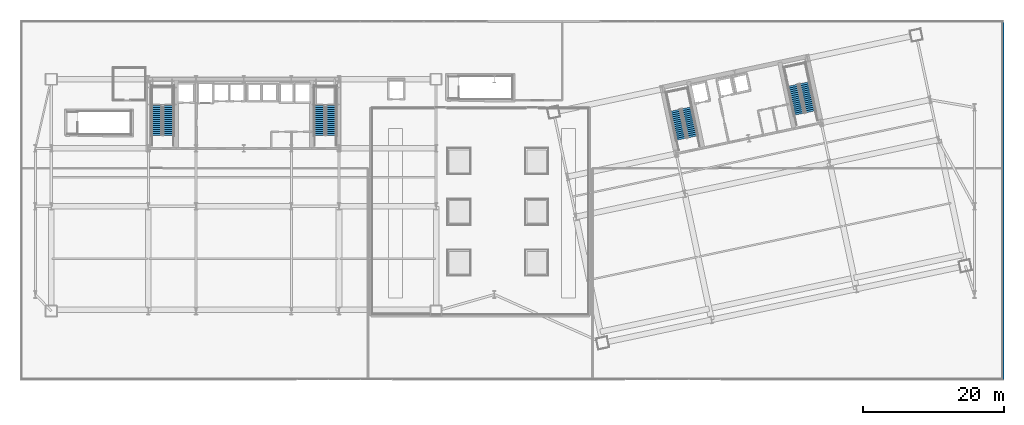
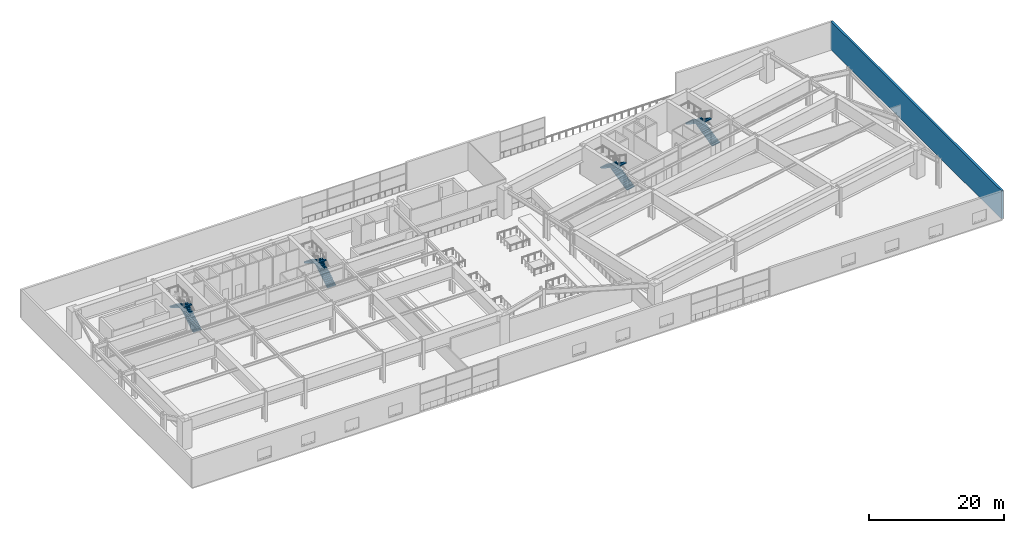
# One storey, part 20 of 29: 8 stair flights, 1 wall, 4 elements without a shape of their own.
"""IFC4 building model written with IfcOpenShell, lengths in metres."""

from ifc_helpers import new_model, si_unit, direction, frame, frame_2d, origin, place, context, subcontext, project, spatial, polyline, rectangle, outline, extrude, material, layer, layer_set, type_object, element, aggregate, save


model = new_model("IFC4")

# Units and contexts
model_context = context("Model", 3, precision=1e-05, world=origin(), true_north=direction((0.0, 1.0)))
body_context = subcontext(model_context, "Body", "Model", "MODEL_VIEW")
ifc_project = project(units=[si_unit("LENGTHUNIT", "METRE"), si_unit("AREAUNIT", "SQUARE_METRE"), si_unit("VOLUMEUNIT", "CUBIC_METRE"), si_unit("PLANEANGLEUNIT", "RADIAN"), si_unit("MASSUNIT", "GRAM", prefix="KILO")], contexts=[model_context])

# Site, building, storey
site_placement = place(None, origin())
site = spatial("IfcSite", under=ifc_project, at=site_placement, CompositionType="ELEMENT")
building_placement = place(site_placement, origin())
building = spatial("IfcBuilding", under=site, at=building_placement, Name="Haevon Station Towers", CompositionType="ELEMENT")
storey_placement = place(building_placement, frame((0.0, 0.0, 25.199951171875)))
storey = spatial("IfcBuildingStorey", under=building, at=storey_placement, Name="L05", CompositionType="ELEMENT", Elevation=25.199951171875)

# Wall
ifc_material_1 = material(Name="Precast concrete C45/55", Category="concrete")
ifc_layer = layer(ifc_material_1, 0.360107421875)
ifc_layer_set = layer_set([ifc_layer], Name="Precast concrete C45/55")
wall_type = type_object("IfcWallType", Name="WL-EXT-POD360", PredefinedType="SOLIDWALL", material=ifc_layer_set)
wall_placement = place(storey_placement, frame((145.0, 56.199951171875, 0.0), z_axis=(0.0, 0.0, 1.0), x_axis=(0.0, -1.0, 0.0)))
element("IfcWall", 1, at=wall_placement, inside=storey, type_object=wall_type, Name="WL-POD-L05-E", PredefinedType="SOLIDWALL", context=body_context, shape_type="SweptSolid", body=[
    extrude(rectangle(XDim=50.699951171875, YDim=0.360107421875, at=frame_2d((25.35009765625, 0.0))), origin(), (0.0, 0.0, 1.0), 5.130126953125),
])

# Stair, stair flights
ifc_material_2 = material(Name="Concrete C40/50", Category="concrete")
stair_type = type_object("IfcStairType", Name="STR-DL1450", PredefinedType="USERDEFINED", material=ifc_material_2)
stair_1_placement = place(storey_placement, origin())
stair_1 = element("IfcStair", 2, at=stair_1_placement, inside=storey, type_object=stair_type, Name="L05 Escape Stair ST1", ObjectType="TWO_RETURN_STAIR", PredefinedType="USERDEFINED")
stair_flight_type = type_object("IfcStairFlightType", Name="STF-ST1450", PredefinedType="STRAIGHT", material=ifc_material_2)
stair_flight_1_placement = place(storey_placement, frame((26.85498046875, 40.050048828125, 0.0), z_axis=(0.0, 0.0, 1.0), x_axis=(0.0, 1.0, 0.0)))
stair_flight_1 = element("IfcStairFlight", 3, at=stair_flight_1_placement, type_object=stair_flight_type, Name="L05 ST1 Flight 1", NumberOfRisers=16, NumberOfTreads=15, PredefinedType="STRAIGHT", RiserHeight=0.16875, TreadLength=0.28, context=body_context, shape_type="SweptSolid", body=[
    extrude(outline(polyline([(0.0, 0.0), (0.0, 0.168701171875), (0.280029296875, 0.168701171875), (0.280029296875, 0.33740234375), (0.56005859375, 0.33740234375), (0.56005859375, 0.50634765625), (0.840087890625, 0.50634765625), (0.840087890625, 0.675048828125), (1.1201171875, 0.675048828125), (1.1201171875, 0.84375), (1.39990234375, 0.84375), (1.39990234375, 1.012451171875), (1.679931640625, 1.012451171875), (1.679931640625, 1.18115234375), (1.9599609375, 1.18115234375), (1.9599609375, 1.35009765625), (2.239990234375, 1.35009765625), (2.239990234375, 1.518798828125), (2.52001953125, 1.518798828125), (2.52001953125, 1.6875), (2.800048828125, 1.6875), (2.800048828125, 1.856201171875), (3.080078125, 1.856201171875), (3.080078125, 2.02490234375), (3.360107421875, 2.02490234375), (3.360107421875, 2.19384765625), (3.639892578125, 2.19384765625), (3.639892578125, 2.362548828125), (3.919921875, 2.362548828125), (3.919921875, 2.53125), (4.199951171875, 2.53125), (4.199951171875, 2.699951171875), (4.199951171875, 2.344482421875), (0.309814453125, 0.0), (0.0, 0.0)])), frame((0.0, 0.72509765625, 0.0), z_axis=(0.0, -1.0, 0.0), x_axis=(1.0, 0.0, 0.0)), (0.0, 0.0, 1.0), 1.449951171875),
])
stair_flight_2_placement = place(storey_placement, frame((25.205078125, 44.25, 2.699951171875), z_axis=(0.0, 0.0, 1.0), x_axis=(0.0, -1.0, 0.0)))
stair_flight_2 = element("IfcStairFlight", 4, at=stair_flight_2_placement, type_object=stair_flight_type, Name="L05 ST1 Flight 2", NumberOfRisers=16, NumberOfTreads=15, PredefinedType="STRAIGHT", RiserHeight=0.16875, TreadLength=0.28, context=body_context, shape_type="SweptSolid", body=[
    extrude(outline(polyline([(0.0, 0.0), (0.0, 0.168701171875), (0.280029296875, 0.168701171875), (0.280029296875, 0.33740234375), (0.56005859375, 0.33740234375), (0.56005859375, 0.50634765625), (0.840087890625, 0.50634765625), (0.840087890625, 0.675048828125), (1.1201171875, 0.675048828125), (1.1201171875, 0.84375), (1.39990234375, 0.84375), (1.39990234375, 1.012451171875), (1.679931640625, 1.012451171875), (1.679931640625, 1.18115234375), (1.9599609375, 1.18115234375), (1.9599609375, 1.35009765625), (2.239990234375, 1.35009765625), (2.239990234375, 1.518798828125), (2.52001953125, 1.518798828125), (2.52001953125, 1.6875), (2.800048828125, 1.6875), (2.800048828125, 1.856201171875), (3.080078125, 1.856201171875), (3.080078125, 2.02490234375), (3.360107421875, 2.02490234375), (3.360107421875, 2.19384765625), (3.639892578125, 2.19384765625), (3.639892578125, 2.362548828125), (3.919921875, 2.362548828125), (3.919921875, 2.53125), (4.199951171875, 2.53125), (4.199951171875, 2.699951171875), (4.199951171875, 2.344482421875), (0.309814453125, 0.0), (0.0, 0.0)])), frame((0.0, 0.72509765625, 0.0), z_axis=(0.0, -1.0, 0.0), x_axis=(1.0, 0.0, 0.0)), (0.0, 0.0, 1.0), 1.449951171875),
])
aggregate(stair_1, [stair_flight_1, stair_flight_2])

stair_2_placement = place(storey_placement, origin())
stair_2 = element("IfcStair", 5, at=stair_2_placement, inside=storey, type_object=stair_type, Name="L05 Escape Stair ST2", ObjectType="TWO_RETURN_STAIR", PredefinedType="USERDEFINED")
stair_flight_3_placement = place(storey_placement, frame((49.89501953125, 40.050048828125, 0.0), z_axis=(0.0, 0.0, 1.0), x_axis=(0.0, 1.0, 0.0)))
stair_flight_3 = element("IfcStairFlight", 6, at=stair_flight_3_placement, type_object=stair_flight_type, Name="L05 ST2 Flight 1", NumberOfRisers=16, NumberOfTreads=15, PredefinedType="STRAIGHT", RiserHeight=0.16875, TreadLength=0.28, context=body_context, shape_type="SweptSolid", body=[
    extrude(outline(polyline([(0.0, 0.0), (0.0, 0.168701171875), (0.280029296875, 0.168701171875), (0.280029296875, 0.33740234375), (0.56005859375, 0.33740234375), (0.56005859375, 0.50634765625), (0.840087890625, 0.50634765625), (0.840087890625, 0.675048828125), (1.1201171875, 0.675048828125), (1.1201171875, 0.84375), (1.39990234375, 0.84375), (1.39990234375, 1.012451171875), (1.679931640625, 1.012451171875), (1.679931640625, 1.18115234375), (1.9599609375, 1.18115234375), (1.9599609375, 1.35009765625), (2.239990234375, 1.35009765625), (2.239990234375, 1.518798828125), (2.52001953125, 1.518798828125), (2.52001953125, 1.6875), (2.800048828125, 1.6875), (2.800048828125, 1.856201171875), (3.080078125, 1.856201171875), (3.080078125, 2.02490234375), (3.360107421875, 2.02490234375), (3.360107421875, 2.19384765625), (3.639892578125, 2.19384765625), (3.639892578125, 2.362548828125), (3.919921875, 2.362548828125), (3.919921875, 2.53125), (4.199951171875, 2.53125), (4.199951171875, 2.699951171875), (4.199951171875, 2.344482421875), (0.309814453125, 0.0), (0.0, 0.0)])), frame((0.0, 0.72509765625, 0.0), z_axis=(0.0, -1.0, 0.0), x_axis=(1.0, 0.0, 0.0)), (0.0, 0.0, 1.0), 1.449951171875),
])
stair_flight_4_placement = place(storey_placement, frame((48.2451171875, 44.25, 2.699951171875), z_axis=(0.0, 0.0, 1.0), x_axis=(0.0, -1.0, 0.0)))
stair_flight_4 = element("IfcStairFlight", 7, at=stair_flight_4_placement, type_object=stair_flight_type, Name="L05 ST2 Flight 2", NumberOfRisers=16, NumberOfTreads=15, PredefinedType="STRAIGHT", RiserHeight=0.16875, TreadLength=0.28, context=body_context, shape_type="SweptSolid", body=[
    extrude(outline(polyline([(0.0, 0.0), (0.0, 0.168701171875), (0.280029296875, 0.168701171875), (0.280029296875, 0.33740234375), (0.56005859375, 0.33740234375), (0.56005859375, 0.50634765625), (0.840087890625, 0.50634765625), (0.840087890625, 0.675048828125), (1.1201171875, 0.675048828125), (1.1201171875, 0.84375), (1.39990234375, 0.84375), (1.39990234375, 1.012451171875), (1.679931640625, 1.012451171875), (1.679931640625, 1.18115234375), (1.9599609375, 1.18115234375), (1.9599609375, 1.35009765625), (2.239990234375, 1.35009765625), (2.239990234375, 1.518798828125), (2.52001953125, 1.518798828125), (2.52001953125, 1.6875), (2.800048828125, 1.6875), (2.800048828125, 1.856201171875), (3.080078125, 1.856201171875), (3.080078125, 2.02490234375), (3.360107421875, 2.02490234375), (3.360107421875, 2.19384765625), (3.639892578125, 2.19384765625), (3.639892578125, 2.362548828125), (3.919921875, 2.362548828125), (3.919921875, 2.53125), (4.199951171875, 2.53125), (4.199951171875, 2.699951171875), (4.199951171875, 2.344482421875), (0.309814453125, 0.0), (0.0, 0.0)])), frame((0.0, 0.72509765625, 0.0), z_axis=(0.0, -1.0, 0.0), x_axis=(1.0, 0.0, 0.0)), (0.0, 0.0, 1.0), 1.449951171875),
])
aggregate(stair_2, [stair_flight_3, stair_flight_4])

stair_3_placement = place(storey_placement, origin())
stair_3 = element("IfcStair", 8, at=stair_3_placement, inside=storey, type_object=stair_type, Name="L05 Escape Stair ST3", ObjectType="TWO_RETURN_STAIR", PredefinedType="USERDEFINED")
stair_flight_5_placement = place(storey_placement, frame((101.1015625, 39.8330078125, 0.0), z_axis=(0.0, 0.0, 1.0), x_axis=(-0.207911690818, 0.978147600734, 0.0)))
stair_flight_5 = element("IfcStairFlight", 9, at=stair_flight_5_placement, type_object=stair_flight_type, Name="L05 ST3 Flight 1", NumberOfRisers=16, NumberOfTreads=15, PredefinedType="STRAIGHT", RiserHeight=0.16875, TreadLength=0.28, context=body_context, shape_type="SweptSolid", body=[
    extrude(outline(polyline([(0.0, 0.0), (0.0, 0.168701171875), (0.280029296875, 0.168701171875), (0.280029296875, 0.33740234375), (0.56005859375, 0.33740234375), (0.56005859375, 0.50634765625), (0.840087890625, 0.50634765625), (0.840087890625, 0.675048828125), (1.1201171875, 0.675048828125), (1.1201171875, 0.84375), (1.39990234375, 0.84375), (1.39990234375, 1.012451171875), (1.679931640625, 1.012451171875), (1.679931640625, 1.18115234375), (1.9599609375, 1.18115234375), (1.9599609375, 1.35009765625), (2.239990234375, 1.35009765625), (2.239990234375, 1.518798828125), (2.52001953125, 1.518798828125), (2.52001953125, 1.6875), (2.800048828125, 1.6875), (2.800048828125, 1.856201171875), (3.080078125, 1.856201171875), (3.080078125, 2.02490234375), (3.360107421875, 2.02490234375), (3.360107421875, 2.19384765625), (3.639892578125, 2.19384765625), (3.639892578125, 2.362548828125), (3.919921875, 2.362548828125), (3.919921875, 2.53125), (4.199951171875, 2.53125), (4.199951171875, 2.699951171875), (4.199951171875, 2.344482421875), (0.309814453125, 0.0), (0.0, 0.0)])), frame((0.0, 0.72509765625, 0.0), z_axis=(0.0, -1.0, 0.0), x_axis=(1.0, 0.0, 0.0)), (0.0, 0.0, 1.0), 1.449951171875),
])
stair_flight_6_placement = place(storey_placement, frame((98.614501953125, 43.59814453125, 2.699951171875), z_axis=(0.0, 0.0, 1.0), x_axis=(0.207911690818, -0.978147600734, 0.0)))
stair_flight_6 = element("IfcStairFlight", 10, at=stair_flight_6_placement, type_object=stair_flight_type, Name="L05 ST3 Flight 2", NumberOfRisers=16, NumberOfTreads=15, PredefinedType="STRAIGHT", RiserHeight=0.16875, TreadLength=0.28, context=body_context, shape_type="SweptSolid", body=[
    extrude(outline(polyline([(0.0, 0.0), (0.0, 0.168701171875), (0.280029296875, 0.168701171875), (0.280029296875, 0.33740234375), (0.56005859375, 0.33740234375), (0.56005859375, 0.50634765625), (0.840087890625, 0.50634765625), (0.840087890625, 0.675048828125), (1.1201171875, 0.675048828125), (1.1201171875, 0.84375), (1.39990234375, 0.84375), (1.39990234375, 1.012451171875), (1.679931640625, 1.012451171875), (1.679931640625, 1.18115234375), (1.9599609375, 1.18115234375), (1.9599609375, 1.35009765625), (2.239990234375, 1.35009765625), (2.239990234375, 1.518798828125), (2.52001953125, 1.518798828125), (2.52001953125, 1.6875), (2.800048828125, 1.6875), (2.800048828125, 1.856201171875), (3.080078125, 1.856201171875), (3.080078125, 2.02490234375), (3.360107421875, 2.02490234375), (3.360107421875, 2.19384765625), (3.639892578125, 2.19384765625), (3.639892578125, 2.362548828125), (3.919921875, 2.362548828125), (3.919921875, 2.53125), (4.199951171875, 2.53125), (4.199951171875, 2.699951171875), (4.199951171875, 2.344482421875), (0.309814453125, 0.0), (0.0, 0.0)])), frame((0.0, 0.72509765625, 0.0), z_axis=(0.0, -1.0, 0.0), x_axis=(1.0, 0.0, 0.0)), (0.0, 0.0, 1.0), 1.449951171875),
])
aggregate(stair_3, [stair_flight_5, stair_flight_6])

stair_4_placement = place(storey_placement, origin())
stair_4 = element("IfcStair", 11, at=stair_4_placement, inside=storey, type_object=stair_type, Name="L05 Escape Stair ST4", ObjectType="TWO_RETURN_STAIR", PredefinedType="USERDEFINED")
stair_flight_7_placement = place(storey_placement, frame((117.788818359375, 43.380126953125, 0.0), z_axis=(0.0, 0.0, 1.0), x_axis=(-0.207911690818, 0.978147600734, 0.0)))
stair_flight_7 = element("IfcStairFlight", 12, at=stair_flight_7_placement, type_object=stair_flight_type, Name="L05 ST4 Flight 1", NumberOfRisers=16, NumberOfTreads=15, PredefinedType="STRAIGHT", RiserHeight=0.16875, TreadLength=0.28, context=body_context, shape_type="SweptSolid", body=[
    extrude(outline(polyline([(0.0, 0.0), (0.0, 0.168701171875), (0.280029296875, 0.168701171875), (0.280029296875, 0.33740234375), (0.56005859375, 0.33740234375), (0.56005859375, 0.50634765625), (0.840087890625, 0.50634765625), (0.840087890625, 0.675048828125), (1.1201171875, 0.675048828125), (1.1201171875, 0.84375), (1.39990234375, 0.84375), (1.39990234375, 1.012451171875), (1.679931640625, 1.012451171875), (1.679931640625, 1.18115234375), (1.9599609375, 1.18115234375), (1.9599609375, 1.35009765625), (2.239990234375, 1.35009765625), (2.239990234375, 1.518798828125), (2.52001953125, 1.518798828125), (2.52001953125, 1.6875), (2.800048828125, 1.6875), (2.800048828125, 1.856201171875), (3.080078125, 1.856201171875), (3.080078125, 2.02490234375), (3.360107421875, 2.02490234375), (3.360107421875, 2.19384765625), (3.639892578125, 2.19384765625), (3.639892578125, 2.362548828125), (3.919921875, 2.362548828125), (3.919921875, 2.53125), (4.199951171875, 2.53125), (4.199951171875, 2.699951171875), (4.199951171875, 2.344482421875), (0.309814453125, 0.0), (0.0, 0.0)])), frame((0.0, 0.72509765625, 0.0), z_axis=(0.0, -1.0, 0.0), x_axis=(1.0, 0.0, 0.0)), (0.0, 0.0, 1.0), 1.449951171875),
])
stair_flight_8_placement = place(storey_placement, frame((115.3017578125, 47.145263671875, 2.699951171875), z_axis=(0.0, 0.0, 1.0), x_axis=(0.207911690818, -0.978147600734, 0.0)))
stair_flight_8 = element("IfcStairFlight", 13, at=stair_flight_8_placement, type_object=stair_flight_type, Name="L05 ST4 Flight 2", NumberOfRisers=16, NumberOfTreads=15, PredefinedType="STRAIGHT", RiserHeight=0.16875, TreadLength=0.28, context=body_context, shape_type="SweptSolid", body=[
    extrude(outline(polyline([(0.0, 0.0), (0.0, 0.168701171875), (0.280029296875, 0.168701171875), (0.280029296875, 0.33740234375), (0.56005859375, 0.33740234375), (0.56005859375, 0.50634765625), (0.840087890625, 0.50634765625), (0.840087890625, 0.675048828125), (1.1201171875, 0.675048828125), (1.1201171875, 0.84375), (1.39990234375, 0.84375), (1.39990234375, 1.012451171875), (1.679931640625, 1.012451171875), (1.679931640625, 1.18115234375), (1.9599609375, 1.18115234375), (1.9599609375, 1.35009765625), (2.239990234375, 1.35009765625), (2.239990234375, 1.518798828125), (2.52001953125, 1.518798828125), (2.52001953125, 1.6875), (2.800048828125, 1.6875), (2.800048828125, 1.856201171875), (3.080078125, 1.856201171875), (3.080078125, 2.02490234375), (3.360107421875, 2.02490234375), (3.360107421875, 2.19384765625), (3.639892578125, 2.19384765625), (3.639892578125, 2.362548828125), (3.919921875, 2.362548828125), (3.919921875, 2.53125), (4.199951171875, 2.53125), (4.199951171875, 2.699951171875), (4.199951171875, 2.344482421875), (0.309814453125, 0.0), (0.0, 0.0)])), frame((0.0, 0.72509765625, 0.0), z_axis=(0.0, -1.0, 0.0), x_axis=(1.0, 0.0, 0.0)), (0.0, 0.0, 1.0), 1.449951171875),
])
aggregate(stair_4, [stair_flight_7, stair_flight_8])

save(model, "model.ifc")
